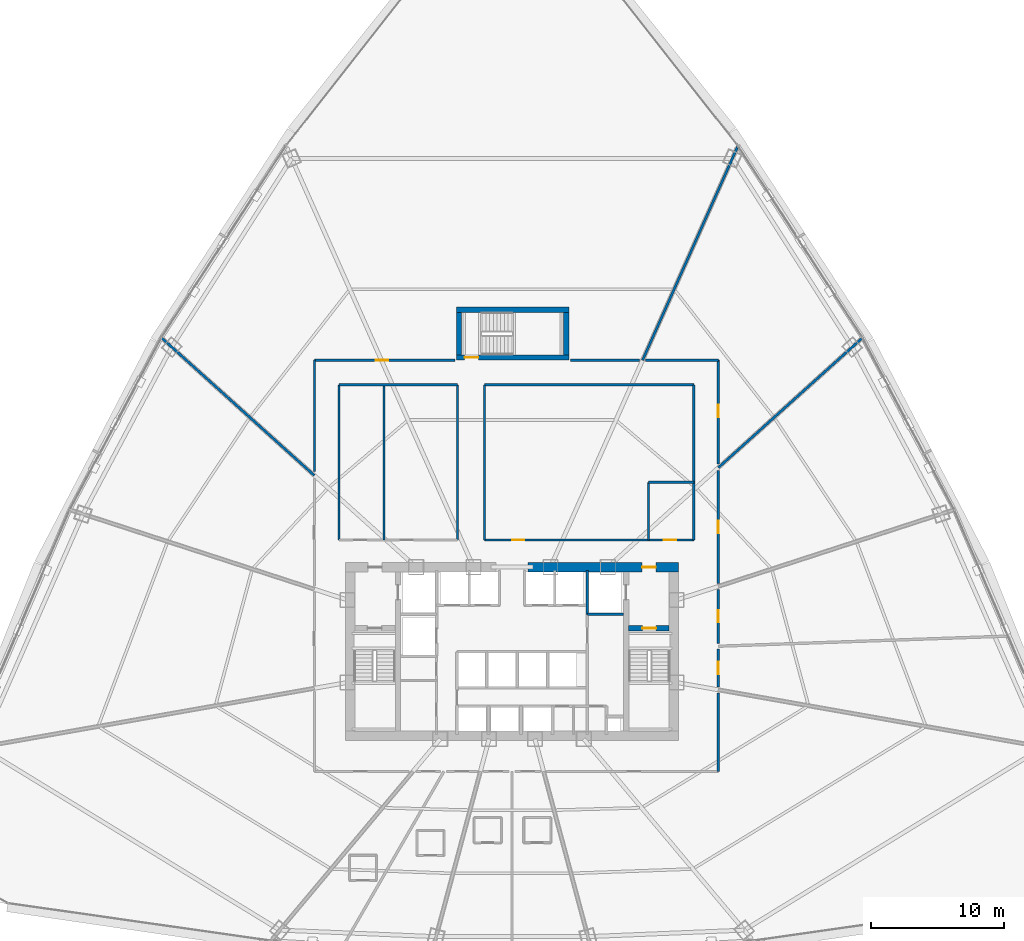
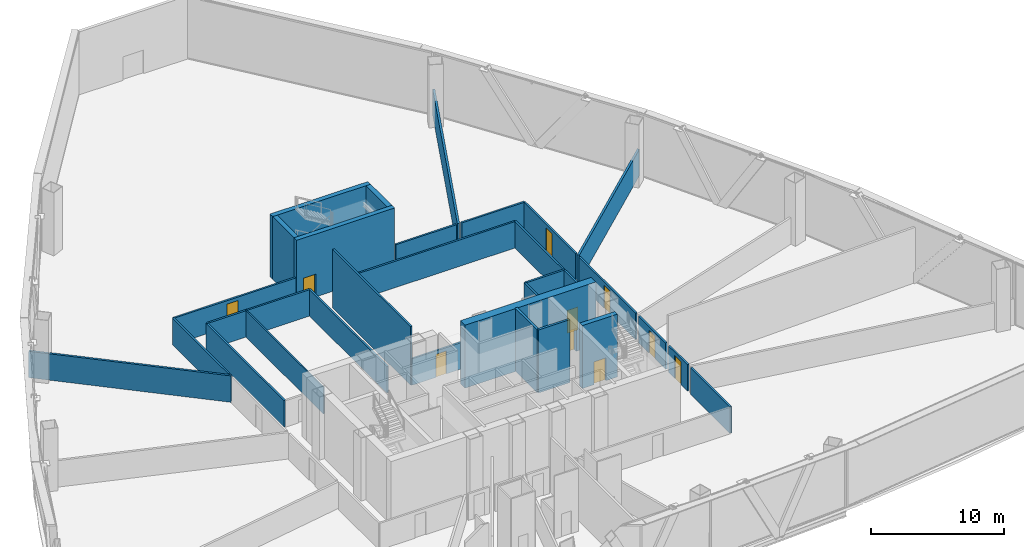
# One storey, part 35 of 41: 30 walls, 10 doors, 10 openings.
"""IFC4 building model written with IfcOpenShell, lengths in metres."""

from ifc_helpers import new_model, si_unit, direction, frame, frame_2d, origin, origin_with_axes, place, context, subcontext, project, spatial, rectangle, extrude, source, transform, mapped, material, layer, layer_set, type_object, element, fill, save


model = new_model("IFC4")

# Units and contexts
model_context = context("Model", 3, precision=1e-05, world=origin(), true_north=direction((0.0, 1.0)))
body_context = subcontext(model_context, "Body", "Model", "MODEL_VIEW")
ifc_project = project(units=[si_unit("LENGTHUNIT", "METRE"), si_unit("AREAUNIT", "SQUARE_METRE"), si_unit("VOLUMEUNIT", "CUBIC_METRE"), si_unit("PLANEANGLEUNIT", "RADIAN"), si_unit("MASSUNIT", "GRAM", prefix="KILO"), si_unit("THERMODYNAMICTEMPERATUREUNIT", "KELVIN"), si_unit("POWERUNIT", "WATT")], contexts=[model_context])

# Site, building, storey
site_placement = place(None, origin())
site = spatial("IfcSite", under=ifc_project, at=site_placement, CompositionType="ELEMENT")
building_placement = place(site_placement, origin())
building = spatial("IfcBuilding", under=site, at=building_placement, Name="Yunzhuo Pagoda Commons", CompositionType="ELEMENT")
storey_placement = place(building_placement, frame((0.0, 0.0, 70.330078125)))
storey = spatial("IfcBuildingStorey", under=building, at=storey_placement, Name="L18", CompositionType="ELEMENT", Elevation=70.330078125)

# Wall, opening, door
ifc_material_1 = material(Name="Concrete C60", Category="concrete")
ifc_layer_1 = layer(ifc_material_1, 0.699951171875)
ifc_layer_set_1 = layer_set([ifc_layer_1], Name="Concrete C60")
wall_type_1 = type_object("IfcWallType", Name="W-C01 Lower Core Shear Wall 700", PredefinedType="SHEAR", material=ifc_layer_set_1)
wall_1_placement = place(storey_placement, frame((49.199951171875, 40.199951171875, 0.0), z_axis=(0.0, 0.0, 1.0), x_axis=(1.0, 0.0, 0.0)))
wall_1 = element("IfcWall", 1, at=wall_1_placement, inside=storey, type_object=wall_type_1, Name="L18 core shear wall NE", PredefinedType="SHEAR", context=body_context, shape_type="SweptSolid", body=[
    extrude(rectangle(XDim=11.35009765625, YDim=0.699951171875, at=frame_2d((5.675048828125, 0.0))), origin(), (0.0, 0.0, 1.0), 5.77001953125),
])
opening_1_placement = place(wall_1_placement, frame((8.60009765625, 0.0, 0.0)))
opening_1 = element("IfcOpeningElement", 2, at=opening_1_placement, cuts=wall_1, Name="Opening D-02", PredefinedType="OPENING", context=body_context, shape_type="SweptSolid", body=[
    extrude(rectangle(XDim=1.050048828125, YDim=2.10009765625, at=frame_2d((0.52490234375, 1.050048828125))), frame((0.0, 0.35986328125, 0.0), z_axis=(0.0, -1.0, 0.0), x_axis=(1.0, 0.0, 0.0)), (0.0, 0.0, 1.0), 0.719970703125),
])
ifc_material_2 = material(Name="Galvanized fire-resisting metal leaf")
door_type_1 = type_object("IfcDoorType", Name="D-02 Firefighting Lobby & Refuge Fire Door 1050x2100", OperationType="NOTDEFINED", PredefinedType="DOOR", material=ifc_material_2)
shared_shape_1 = source(origin(), body_context, "Body", "SweptSolid", [
    extrude(rectangle(XDim=1.050048828125, YDim=2.10009765625, at=frame_2d((0.52490234375, 1.050048828125))), frame((0.0, 0.02490234375, 0.0), z_axis=(0.0, -1.0, 0.0), x_axis=(1.0, 0.0, 0.0)), (0.0, 0.0, 1.0), 0.050048828125),
])
door_1_placement = place(opening_1_placement, frame((1.050048828125, 0.0, 0.0), z_axis=(0.0, 0.0, 1.0), x_axis=(-1.0, 0.0, 0.0)))
door_1 = element("IfcDoor", 3, at=door_1_placement, inside=storey, type_object=door_type_1, Name="L18 Firefighting Lobby 2 fire door", OperationType="SINGLE_SWING_RIGHT", OverallHeight=2.10009765625, OverallWidth=1.050048828125, PredefinedType="DOOR", context=body_context, shape_type="MappedRepresentation", body=[
    mapped(shared_shape_1, transform((0.0, 0.0, 0.0), scale=1.0)),
])
fill(opening_1, door_1)

# Walls
ifc_material_3 = material(Name="Gypsum plasterboard on acoustic stud")
ifc_layer_2 = layer(ifc_material_3, 0.159912109375)
ifc_layer_set_2 = layer_set([ifc_layer_2], Name="Gypsum plasterboard on acoustic stud")
wall_type_2 = type_object("IfcWallType", Name="W-COR1 Tower Rated Corridor Wall 160", PredefinedType="PARTITIONING", material=ifc_layer_set_2)
wall_2_placement = place(storey_placement, frame((34.949951171875, 53.949951171875, 0.0), z_axis=(0.0, 0.0, 1.0), x_axis=(1.0, 0.0, 0.0)))
element("IfcWall", 4, at=wall_2_placement, inside=storey, type_object=wall_type_2, Name="L18 interior wall IW-L18-ISLWN", PredefinedType="PARTITIONING", context=body_context, shape_type="SweptSolid", body=[
    extrude(rectangle(XDim=8.929931640625, YDim=0.159912109375, at=frame_2d((4.46484375, 0.0))), origin(), (0.0, 0.0, 1.0), 2.419921875),
])
for number, where, z_axis, x_axis, name in (
    (5, (34.949951171875, 42.25, 0.0), (0.0, 0.0, 1.0), (0.0, 1.0, 0.0), "L18 interior wall IW-L18-ISLWW"),
    (6, (43.8798828125, 42.25, 0.0), (0.0, 0.0, 1.0), (0.0, 1.0, 0.0), "L18 interior wall IW-L18-ISLWE"),
):
    element("IfcWall", number, at=place(storey_placement, frame(where, z_axis=z_axis, x_axis=x_axis)), inside=storey, type_object=wall_type_2, Name=name, PredefinedType="PARTITIONING", context=body_context, shape_type="SweptSolid", body=[
        extrude(rectangle(XDim=11.699951171875, YDim=0.159912109375, at=frame_2d((5.85009765625, 0.0))), origin(), (0.0, 0.0, 1.0), 2.419921875),
    ])

# Wall, openings, doors
wall_3_placement = place(storey_placement, frame((45.919921875, 42.25, 0.0), z_axis=(0.0, 0.0, 1.0), x_axis=(1.0, 0.0, 0.0)))
wall_3 = element("IfcWall", 7, at=wall_3_placement, inside=storey, type_object=wall_type_2, Name="L18 interior wall IW-L18-ISLES", PredefinedType="PARTITIONING", context=body_context, shape_type="SweptSolid", body=[
    extrude(rectangle(XDim=15.780029296875, YDim=0.159912109375, at=frame_2d((7.89013671875, 0.0))), origin(), (0.0, 0.0, 1.0), 2.419921875),
])
opening_2_placement = place(wall_3_placement, frame((2.10009765625, 0.0, 0.0)))
opening_2 = element("IfcOpeningElement", 8, at=opening_2_placement, cuts=wall_3, Name="Opening D-04", PredefinedType="OPENING", context=body_context, shape_type="SweptSolid", body=[
    extrude(rectangle(XDim=0.919921875, YDim=2.10009765625, at=frame_2d((0.4599609375, 1.050048828125))), frame((0.0, 0.08984375, 0.0), z_axis=(0.0, -1.0, 0.0), x_axis=(1.0, 0.0, 0.0)), (0.0, 0.0, 1.0), 0.179931640625),
])
opening_3_placement = place(wall_3_placement, frame((13.530029296875, 0.0, 0.0)))
opening_3 = element("IfcOpeningElement", 9, at=opening_3_placement, cuts=wall_3, Name="Opening D-11", PredefinedType="OPENING", context=body_context, shape_type="SweptSolid", body=[
    extrude(rectangle(XDim=0.93994140625, YDim=2.10009765625, at=frame_2d((0.469970703125, 1.050048828125))), frame((0.0, 0.08984375, 0.0), z_axis=(0.0, -1.0, 0.0), x_axis=(1.0, 0.0, 0.0)), (0.0, 0.0, 1.0), 0.179931640625),
])
door_type_2 = type_object("IfcDoorType", Name="D-11 Accessible Washroom Fire Door 940x2100", OperationType="NOTDEFINED", PredefinedType="DOOR", material=ifc_material_2)
shared_shape_2 = source(origin(), body_context, "Body", "SweptSolid", [
    extrude(rectangle(XDim=0.93994140625, YDim=2.10009765625, at=frame_2d((0.469970703125, 1.050048828125))), frame((0.0, 0.02490234375, 0.0), z_axis=(0.0, -1.0, 0.0), x_axis=(1.0, 0.0, 0.0)), (0.0, 0.0, 1.0), 0.050048828125),
])
door_2_placement = place(opening_3_placement, frame((0.93994140625, 0.0, 0.0), z_axis=(0.0, 0.0, 1.0), x_axis=(-1.0, 0.0, 0.0)))
door_2 = element("IfcDoor", 10, at=door_2_placement, inside=storey, type_object=door_type_2, Name="L18 accessible WC door", OperationType="SINGLE_SWING_RIGHT", OverallHeight=2.10009765625, OverallWidth=0.93994140625, PredefinedType="DOOR", context=body_context, shape_type="MappedRepresentation", body=[
    mapped(shared_shape_2, transform((0.0, 0.0, 0.0), scale=1.0)),
])
fill(opening_3, door_2)
ifc_material_4 = material(Name="Powder-coated aluminium and timber acoustic leaf", Category="wood")
door_type_3 = type_object("IfcDoorType", Name="D-04 Bedroom & Study Interior Door 920x2100", OperationType="NOTDEFINED", PredefinedType="DOOR", material=ifc_material_4)
shared_shape_3 = source(origin(), body_context, "Body", "SweptSolid", [
    extrude(rectangle(XDim=0.919921875, YDim=2.10009765625, at=frame_2d((0.4599609375, 1.050048828125))), frame((0.0, 0.02490234375, 0.0), z_axis=(0.0, -1.0, 0.0), x_axis=(1.0, 0.0, 0.0)), (0.0, 0.0, 1.0), 0.050048828125),
])
door_3_placement = place(opening_2_placement, frame((0.919921875, 0.0, 0.0), z_axis=(0.0, 0.0, 1.0), x_axis=(-1.0, 0.0, 0.0)))
door_3 = element("IfcDoor", 11, at=door_3_placement, inside=storey, type_object=door_type_3, Name="L18 reading commons door", OperationType="SINGLE_SWING_LEFT", OverallHeight=2.10009765625, OverallWidth=0.919921875, PredefinedType="DOOR", context=body_context, shape_type="MappedRepresentation", body=[
    mapped(shared_shape_3, transform((0.0, 0.0, 0.0), scale=1.0)),
])
fill(opening_2, door_3)

# Walls
wall_4_placement = place(storey_placement, frame((45.919921875, 53.949951171875, 0.0), z_axis=(0.0, 0.0, 1.0), x_axis=(1.0, 0.0, 0.0)))
element("IfcWall", 12, at=wall_4_placement, inside=storey, type_object=wall_type_2, Name="L18 interior wall IW-L18-ISLEN", PredefinedType="PARTITIONING", context=body_context, shape_type="SweptSolid", body=[
    extrude(rectangle(XDim=15.780029296875, YDim=0.159912109375, at=frame_2d((7.89013671875, 0.0))), origin(), (0.0, 0.0, 1.0), 2.419921875),
])
wall_5_placement = place(storey_placement, frame((45.919921875, 42.25, 0.0), z_axis=(0.0, 0.0, 1.0), x_axis=(0.0, 1.0, 0.0)))
element("IfcWall", 13, at=wall_5_placement, inside=storey, type_object=wall_type_2, Name="L18 interior wall IW-L18-ISLEW", PredefinedType="PARTITIONING", context=body_context, shape_type="SweptSolid", body=[
    extrude(rectangle(XDim=11.699951171875, YDim=0.159912109375, at=frame_2d((5.85009765625, 0.0))), origin(), (0.0, 0.0, 1.0), 5.369873046875),
])
wall_6_placement = place(storey_placement, frame((61.699951171875, 42.25, 0.0), z_axis=(0.0, 0.0, 1.0), x_axis=(0.0, 1.0, 0.0)))
element("IfcWall", 14, at=wall_6_placement, inside=storey, type_object=wall_type_2, Name="L18 interior wall IW-L18-ISLEE", PredefinedType="PARTITIONING", context=body_context, shape_type="SweptSolid", body=[
    extrude(rectangle(XDim=11.699951171875, YDim=0.159912109375, at=frame_2d((5.85009765625, 0.0))), origin(), (0.0, 0.0, 1.0), 2.419921875),
])
wall_7_placement = place(storey_placement, frame((58.300048828125, 42.25, 0.0), z_axis=(0.0, 0.0, 1.0), x_axis=(0.0, 1.0, 0.0)))
element("IfcWall", 15, at=wall_7_placement, inside=storey, type_object=wall_type_2, Name="L18 interior wall IW-L18-ISL2W", PredefinedType="PARTITIONING", context=body_context, shape_type="SweptSolid", body=[
    extrude(rectangle(XDim=4.35009765625, YDim=0.159912109375, at=frame_2d((2.175048828125, 0.0))), origin(), (0.0, 0.0, 1.0), 2.419921875),
])
wall_8_placement = place(storey_placement, frame((58.300048828125, 46.60009765625, 0.0), z_axis=(0.0, 0.0, 1.0), x_axis=(1.0, 0.0, 0.0)))
element("IfcWall", 16, at=wall_8_placement, inside=storey, type_object=wall_type_2, Name="L18 interior wall IW-L18-ISL2N", PredefinedType="PARTITIONING", context=body_context, shape_type="SweptSolid", body=[
    extrude(rectangle(XDim=3.39990234375, YDim=0.159912109375, at=frame_2d((1.699951171875, 0.0))), origin(), (0.0, 0.0, 1.0), 2.419921875),
])
wall_9_placement = place(storey_placement, frame((33.10009765625, 47.412109375, 0.0), z_axis=(0.0, 0.0, 1.0), x_axis=(0.0, 1.0, 0.0)))
element("IfcWall", 17, at=wall_9_placement, inside=storey, type_object=wall_type_2, Name="L18 interior wall IW-L18-CWL04", PredefinedType="PARTITIONING", context=body_context, shape_type="SweptSolid", body=[
    extrude(rectangle(XDim=8.387939453125, YDim=0.159912109375, at=frame_2d((4.19384765625, 0.0))), origin(), (0.0, 0.0, 1.0), 2.419921875),
])

# Wall, opening, door
wall_10_placement = place(storey_placement, frame((33.10009765625, 55.800048828125, 0.0), z_axis=(0.0, 0.0, 1.0), x_axis=(1.0, 0.0, 0.0)))
wall_10 = element("IfcWall", 18, at=wall_10_placement, inside=storey, type_object=wall_type_2, Name="L18 interior wall IW-L18-CWL05", PredefinedType="PARTITIONING", context=body_context, shape_type="SweptSolid", body=[
    extrude(rectangle(XDim=10.60888671875, YDim=0.159912109375, at=frame_2d((5.304443359375, 0.0))), origin(), (0.0, 0.0, 1.0), 2.419921875),
])
opening_4_placement = place(wall_10_placement, frame((4.635009765625, 0.0, 0.0)))
opening_4 = element("IfcOpeningElement", 19, at=opening_4_placement, cuts=wall_10, Name="Opening D-06", PredefinedType="OPENING", context=body_context, shape_type="SweptSolid", body=[
    extrude(rectangle(XDim=0.949951171875, YDim=2.10009765625, at=frame_2d((0.47509765625, 1.050048828125))), frame((0.0, 0.08984375, 0.0), z_axis=(0.0, -1.0, 0.0), x_axis=(1.0, 0.0, 0.0)), (0.0, 0.0, 1.0), 0.179931640625),
])
door_type_4 = type_object("IfcDoorType", Name="D-06 Co-Living Suite Entrance Fire Door 950x2100", OperationType="NOTDEFINED", PredefinedType="DOOR", material=ifc_material_2)
shared_shape_4 = source(origin(), body_context, "Body", "SweptSolid", [
    extrude(rectangle(XDim=0.949951171875, YDim=2.10009765625, at=frame_2d((0.47509765625, 1.050048828125))), frame((0.0, 0.02490234375, 0.0), z_axis=(0.0, -1.0, 0.0), x_axis=(1.0, 0.0, 0.0)), (0.0, 0.0, 1.0), 0.050048828125),
])
door_4_placement = place(opening_4_placement, origin_with_axes())
door_4 = element("IfcDoor", 20, at=door_4_placement, inside=storey, type_object=door_type_4, Name="L18 Shared Resident Kitchen and Pantry door", OperationType="SINGLE_SWING_LEFT", OverallHeight=2.10009765625, OverallWidth=0.949951171875, PredefinedType="DOOR", context=body_context, shape_type="MappedRepresentation", body=[
    mapped(shared_shape_4, transform((0.0, 0.0, 0.0), scale=1.0)),
])
fill(opening_4, door_4)

# Walls
wall_11_placement = place(storey_placement, frame((52.39111328125, 55.800048828125, 0.0), z_axis=(0.0, 0.0, 1.0), x_axis=(1.0, 0.0, 0.0)))
element("IfcWall", 21, at=wall_11_placement, inside=storey, type_object=wall_type_2, Name="L18 interior wall IW-L18-CWL06", PredefinedType="PARTITIONING", context=body_context, shape_type="SweptSolid", body=[
    extrude(rectangle(XDim=5.228759765625, YDim=0.159912109375, at=frame_2d((2.6142578125, 0.0))), origin(), (0.0, 0.0, 1.0), 2.419921875),
])
wall_12_placement = place(storey_placement, frame((58.080322265625, 55.800048828125, 0.0), z_axis=(0.0, 0.0, 1.0), x_axis=(1.0, 0.0, 0.0)))
element("IfcWall", 22, at=wall_12_placement, inside=storey, type_object=wall_type_2, Name="L18 interior wall IW-L18-CWL07", PredefinedType="PARTITIONING", context=body_context, shape_type="SweptSolid", body=[
    extrude(rectangle(XDim=5.4697265625, YDim=0.159912109375, at=frame_2d((2.73486328125, 0.0))), origin(), (0.0, 0.0, 1.0), 2.419921875),
])

# Wall, opening, door
wall_13_placement = place(storey_placement, frame((63.550048828125, 55.800048828125, 0.0), z_axis=(0.0, 0.0, 1.0), x_axis=(0.0, -1.0, 0.0)))
wall_13 = element("IfcWall", 23, at=wall_13_placement, inside=storey, type_object=wall_type_2, Name="L18 interior wall IW-L18-CWL08", PredefinedType="PARTITIONING", context=body_context, shape_type="SweptSolid", body=[
    extrude(rectangle(XDim=7.802734375, YDim=0.159912109375, at=frame_2d((3.9013671875, 0.0))), origin(), (0.0, 0.0, 1.0), 2.419921875),
])
opening_5_placement = place(wall_13_placement, frame((3.359375, 0.0, 0.0)))
opening_5 = element("IfcOpeningElement", 24, at=opening_5_placement, cuts=wall_13, Name="Opening D-04", PredefinedType="OPENING", context=body_context, shape_type="SweptSolid", body=[
    extrude(rectangle(XDim=0.919921875, YDim=2.10009765625, at=frame_2d((0.4599609375, 1.050048828125))), frame((0.0, 0.08984375, 0.0), z_axis=(0.0, -1.0, 0.0), x_axis=(1.0, 0.0, 0.0)), (0.0, 0.0, 1.0), 0.179931640625),
])
door_5_placement = place(opening_5_placement, origin_with_axes())
door_5 = element("IfcDoor", 25, at=door_5_placement, inside=storey, type_object=door_type_3, Name="L18 seminar room 03 door", OperationType="SINGLE_SWING_RIGHT", OverallHeight=2.10009765625, OverallWidth=0.919921875, PredefinedType="DOOR", context=body_context, shape_type="MappedRepresentation", body=[
    mapped(shared_shape_3, transform((0.0, 0.0, 0.0), scale=1.0)),
])
fill(opening_5, door_5)

wall_14_placement = place(storey_placement, frame((63.550048828125, 47.481689453125, 0.0), z_axis=(0.0, 0.0, 1.0), x_axis=(0.0, -1.0, 0.0)))
wall_14 = element("IfcWall", 26, at=wall_14_placement, inside=storey, type_object=wall_type_2, Name="L18 interior wall IW-L18-CWL09", PredefinedType="PARTITIONING", context=body_context, shape_type="SweptSolid", body=[
    extrude(rectangle(XDim=8.497802734375, YDim=0.159912109375, at=frame_2d((4.2490234375, 0.0))), origin(), (0.0, 0.0, 1.0), 2.419921875),
])
opening_6_placement = place(wall_14_placement, frame((3.794677734375, 0.0, 0.0)))
opening_6 = element("IfcOpeningElement", 27, at=opening_6_placement, cuts=wall_14, Name="Opening D-04", PredefinedType="OPENING", context=body_context, shape_type="SweptSolid", body=[
    extrude(rectangle(XDim=0.919921875, YDim=2.10009765625, at=frame_2d((0.4599609375, 1.050048828125))), frame((0.0, 0.08984375, 0.0), z_axis=(0.0, -1.0, 0.0), x_axis=(1.0, 0.0, 0.0)), (0.0, 0.0, 1.0), 0.179931640625),
])
door_6_placement = place(opening_6_placement, origin_with_axes())
door_6 = element("IfcDoor", 28, at=door_6_placement, inside=storey, type_object=door_type_3, Name="L18 seminar room 02 door", OperationType="SINGLE_SWING_LEFT", OverallHeight=2.10009765625, OverallWidth=0.919921875, PredefinedType="DOOR", context=body_context, shape_type="MappedRepresentation", body=[
    mapped(shared_shape_3, transform((0.0, 0.0, 0.0), scale=1.0)),
])
fill(opening_6, door_6)

wall_15_placement = place(storey_placement, frame((63.550048828125, 38.53271484375, 0.0), z_axis=(0.0, 0.0, 1.0), x_axis=(0.0, -1.0, 0.0)))
wall_15 = element("IfcWall", 29, at=wall_15_placement, inside=storey, type_object=wall_type_2, Name="L18 interior wall IW-L18-CWL10", PredefinedType="PARTITIONING", context=body_context, shape_type="SweptSolid", body=[
    extrude(rectangle(XDim=4.069580078125, YDim=0.159912109375, at=frame_2d((2.03466796875, 0.0))), origin(), (0.0, 0.0, 1.0), 2.419921875),
])
opening_7_placement = place(wall_15_placement, frame((1.574951171875, 0.0, 0.0)))
opening_7 = element("IfcOpeningElement", 30, at=opening_7_placement, cuts=wall_15, Name="Opening D-04", PredefinedType="OPENING", context=body_context, shape_type="SweptSolid", body=[
    extrude(rectangle(XDim=0.919921875, YDim=2.10009765625, at=frame_2d((0.4599609375, 1.050048828125))), frame((0.0, 0.08984375, 0.0), z_axis=(0.0, -1.0, 0.0), x_axis=(1.0, 0.0, 0.0)), (0.0, 0.0, 1.0), 0.179931640625),
])
door_7_placement = place(opening_7_placement, origin_with_axes())
door_7 = element("IfcDoor", 31, at=door_7_placement, inside=storey, type_object=door_type_3, Name="L18 seminar room 01 door", OperationType="SINGLE_SWING_RIGHT", OverallHeight=2.10009765625, OverallWidth=0.919921875, PredefinedType="DOOR", context=body_context, shape_type="MappedRepresentation", body=[
    mapped(shared_shape_3, transform((0.0, 0.0, 0.0), scale=1.0)),
])
fill(opening_7, door_7)

wall_16_placement = place(storey_placement, frame((63.550048828125, 34.023193359375, 0.0), z_axis=(0.0, 0.0, 1.0), x_axis=(0.0, -1.0, 0.0)))
wall_16 = element("IfcWall", 32, at=wall_16_placement, inside=storey, type_object=wall_type_2, Name="L18 interior wall IW-L18-CWL11", PredefinedType="PARTITIONING", context=body_context, shape_type="SweptSolid", body=[
    extrude(rectangle(XDim=2.84521484375, YDim=0.159912109375, at=frame_2d((1.422607421875, 0.0))), origin(), (0.0, 0.0, 1.0), 2.419921875),
])
opening_8_placement = place(wall_16_placement, frame((0.94775390625, 0.0, 0.0)))
opening_8 = element("IfcOpeningElement", 33, at=opening_8_placement, cuts=wall_16, Name="Opening D-06", PredefinedType="OPENING", context=body_context, shape_type="SweptSolid", body=[
    extrude(rectangle(XDim=0.949951171875, YDim=2.10009765625, at=frame_2d((0.47509765625, 1.050048828125))), frame((0.0, 0.08984375, 0.0), z_axis=(0.0, -1.0, 0.0), x_axis=(1.0, 0.0, 0.0)), (0.0, 0.0, 1.0), 0.179931640625),
])
door_8_placement = place(opening_8_placement, origin_with_axes())
door_8 = element("IfcDoor", 34, at=door_8_placement, inside=storey, type_object=door_type_4, Name="L18 unit 13 entrance door", OperationType="SINGLE_SWING_RIGHT", OverallHeight=2.10009765625, OverallWidth=0.949951171875, PredefinedType="DOOR", context=body_context, shape_type="MappedRepresentation", body=[
    mapped(shared_shape_4, transform((0.0, 0.0, 0.0), scale=1.0)),
])
fill(opening_8, door_8)

# Walls
wall_17_placement = place(storey_placement, frame((63.550048828125, 30.734619140625, 0.0), z_axis=(0.0, 0.0, 1.0), x_axis=(0.0, -1.0, 0.0)))
element("IfcWall", 35, at=wall_17_placement, inside=storey, type_object=wall_type_2, Name="L18 interior wall IW-L18-CWL12", PredefinedType="PARTITIONING", context=body_context, shape_type="SweptSolid", body=[
    extrude(rectangle(XDim=5.9345703125, YDim=0.159912109375, at=frame_2d((2.96728515625, 0.0))), origin(), (0.0, 0.0, 1.0), 2.419921875),
])
ifc_layer_3 = layer(ifc_material_3, 0.1201171875)
ifc_layer_set_3 = layer_set([ifc_layer_3], Name="Gypsum plasterboard on acoustic stud")
wall_type_3 = type_object("IfcWallType", Name="W-PRT1 Suite & Bathroom Partition 120", PredefinedType="PARTITIONING", material=ifc_layer_set_3)
wall_18_placement = place(storey_placement, frame((38.35009765625, 42.25, 0.0), z_axis=(0.0, 0.0, 1.0), x_axis=(0.0, 1.0, 0.0)))
element("IfcWall", 36, at=wall_18_placement, inside=storey, type_object=wall_type_3, Name="L18 interior wall IW-L18-ISLW1", PredefinedType="PARTITIONING", context=body_context, shape_type="SweptSolid", body=[
    extrude(rectangle(XDim=11.699951171875, YDim=0.1201171875, at=frame_2d((5.85009765625, 0.0))), origin(), (0.0, 0.0, 1.0), 2.419921875),
])
ifc_layer_4 = layer(ifc_material_3, 0.179931640625)
ifc_layer_set_4 = layer_set([ifc_layer_4], Name="Gypsum plasterboard on acoustic stud")
wall_type_4 = type_object("IfcWallType", Name="W-PRT2 Acoustic Unit Demising Wall 180", PredefinedType="PARTITIONING", material=ifc_layer_set_4)
wall_19_placement = place(storey_placement, frame((63.550048828125, 47.701416015625, 0.0), z_axis=(0.0, 0.0, 1.0), x_axis=(0.743144860423, 0.669130567547, 0.0)))
element("IfcWall", 37, at=wall_19_placement, inside=storey, type_object=wall_type_4, Name="L18 interior wall IW-L18-RAD03", PredefinedType="PARTITIONING", context=body_context, shape_type="SweptSolid", body=[
    extrude(rectangle(XDim=14.638916015625, YDim=0.179931640625, at=frame_2d((7.3193359375, 0.0))), origin(), (0.0, 0.0, 1.0), 2.419921875),
])
wall_20_placement = place(storey_placement, frame((57.839599609375, 55.800048828125, 0.0), z_axis=(0.0, 0.0, 1.0), x_axis=(0.406732277088, 0.913547401493, 0.0)))
element("IfcWall", 38, at=wall_20_placement, inside=storey, type_object=wall_type_4, Name="L18 interior wall IW-L18-RAD04", PredefinedType="PARTITIONING", context=body_context, shape_type="SweptSolid", body=[
    extrude(rectangle(XDim=17.69775390625, YDim=0.179931640625, at=frame_2d((8.848876953125, 0.0))), origin(), (0.0, 0.0, 1.0), 2.419921875),
])
wall_21_placement = place(storey_placement, frame((33.10009765625, 47.115966796875, 0.0), z_axis=(0.0, 0.0, 1.0), x_axis=(-0.743143105339, 0.669132516761, 0.0)))
element("IfcWall", 39, at=wall_21_placement, inside=storey, type_object=wall_type_4, Name="L18 interior wall IW-L18-RAD05", PredefinedType="PARTITIONING", context=body_context, shape_type="SweptSolid", body=[
    extrude(rectangle(XDim=15.513916015625, YDim=0.179931640625, at=frame_2d((7.7568359375, 0.0))), origin(), (0.0, 0.0, 1.0), 2.419921875),
])

# Wall, opening, door
ifc_layer_5 = layer(ifc_material_1, 0.39990234375)
ifc_layer_set_5 = layer_set([ifc_layer_5], Name="Concrete C60")
wall_type_5 = type_object("IfcWallType", Name="W-S01 Internal Core Shear Web 400", PredefinedType="SHEAR", material=ifc_layer_set_5)
wall_22_placement = place(storey_placement, frame((56.800048828125, 35.60009765625, 0.0), z_axis=(0.0, 0.0, 1.0), x_axis=(1.0, 0.0, 0.0)))
wall_22 = element("IfcWall", 40, at=wall_22_placement, inside=storey, type_object=wall_type_5, Name="L18 core shear wall STE", PredefinedType="SHEAR", context=body_context, shape_type="SweptSolid", body=[
    extrude(rectangle(XDim=3.050048828125, YDim=0.39990234375, at=frame_2d((1.52490234375, 0.0))), origin(), (0.0, 0.0, 1.0), 5.77001953125),
])
opening_9_placement = place(wall_22_placement, frame((1.02001953125, 0.0, 0.0)))
opening_9 = element("IfcOpeningElement", 41, at=opening_9_placement, cuts=wall_22, Name="Opening D-01", PredefinedType="OPENING", context=body_context, shape_type="SweptSolid", body=[
    extrude(rectangle(XDim=1.050048828125, YDim=2.10009765625, at=frame_2d((0.52490234375, 1.050048828125))), frame((0.0, 0.2099609375, 0.0), z_axis=(0.0, -1.0, 0.0), x_axis=(1.0, 0.0, 0.0)), (0.0, 0.0, 1.0), 0.419921875),
])
door_type_5 = type_object("IfcDoorType", Name="D-01 Smokeproof Stair Fire Door 1050x2100", OperationType="NOTDEFINED", PredefinedType="DOOR", material=ifc_material_2)
door_9_placement = place(opening_9_placement, frame((1.050048828125, 0.0, 0.0), z_axis=(0.0, 0.0, 1.0), x_axis=(-1.0, 0.0, 0.0)))
door_9 = element("IfcDoor", 42, at=door_9_placement, inside=storey, type_object=door_type_5, Name="L18 Stair ST2 fire door", OperationType="SINGLE_SWING_RIGHT", OverallHeight=2.10009765625, OverallWidth=1.050048828125, PredefinedType="DOOR", context=body_context, shape_type="MappedRepresentation", body=[
    mapped(shared_shape_1, transform((0.0, 0.0, 0.0), scale=1.0)),
])
fill(opening_9, door_9)

# Wall
wall_23_placement = place(storey_placement, frame((43.800048828125, 59.60009765625, 0.0), z_axis=(0.0, 0.0, 1.0), x_axis=(1.0, 0.0, 0.0)))
element("IfcWall", 43, at=wall_23_placement, inside=storey, type_object=wall_type_5, Name="L18 ST3 structural stair wall N", PredefinedType="SHEAR", context=body_context, shape_type="SweptSolid", body=[
    extrude(rectangle(XDim=8.5, YDim=0.39990234375, at=frame_2d((4.25, 0.0))), origin(), (0.0, 0.0, 1.0), 5.77001953125),
])

# Wall, opening, door
wall_24_placement = place(storey_placement, frame((43.800048828125, 56.0, 0.0), z_axis=(0.0, 0.0, 1.0), x_axis=(1.0, 0.0, 0.0)))
wall_24 = element("IfcWall", 44, at=wall_24_placement, inside=storey, type_object=wall_type_5, Name="L18 ST3 structural stair wall S", PredefinedType="SHEAR", context=body_context, shape_type="SweptSolid", body=[
    extrude(rectangle(XDim=8.5, YDim=0.39990234375, at=frame_2d((4.25, 0.0))), origin(), (0.0, 0.0, 1.0), 5.77001953125),
])
opening_10_placement = place(wall_24_placement, frame((0.6201171875, 0.0, 0.0)))
opening_10 = element("IfcOpeningElement", 45, at=opening_10_placement, cuts=wall_24, Name="Opening D-01", PredefinedType="OPENING", context=body_context, shape_type="SweptSolid", body=[
    extrude(rectangle(XDim=1.050048828125, YDim=2.10009765625, at=frame_2d((0.52490234375, 1.050048828125))), frame((0.0, 0.2099609375, 0.0), z_axis=(0.0, -1.0, 0.0), x_axis=(1.0, 0.0, 0.0)), (0.0, 0.0, 1.0), 0.419921875),
])
door_10_placement = place(opening_10_placement, frame((1.050048828125, 0.0, 0.0), z_axis=(0.0, 0.0, 1.0), x_axis=(-1.0, 0.0, 0.0)))
door_10 = element("IfcDoor", 46, at=door_10_placement, inside=storey, type_object=door_type_5, Name="L18 Stair ST3 fire door", OperationType="SINGLE_SWING_LEFT", OverallHeight=2.10009765625, OverallWidth=1.050048828125, PredefinedType="DOOR", context=body_context, shape_type="MappedRepresentation", body=[
    mapped(shared_shape_1, transform((0.0, 0.0, 0.0), scale=1.0)),
])
fill(opening_10, door_10)

# Walls
for number, where, z_axis, x_axis, name in (
    (47, (44.0, 56.199951171875, 0.0), (0.0, 0.0, 1.0), (0.0, 1.0, 0.0), "L18 ST3 structural stair wall W"),
    (48, (52.10009765625, 56.199951171875, 0.0), (0.0, 0.0, 1.0), (0.0, 1.0, 0.0), "L18 ST3 structural stair wall E"),
):
    element("IfcWall", number, at=place(storey_placement, frame(where, z_axis=z_axis, x_axis=x_axis)), inside=storey, type_object=wall_type_5, Name=name, PredefinedType="SHEAR", context=body_context, shape_type="SweptSolid", body=[
        extrude(rectangle(XDim=3.199951171875, YDim=0.39990234375, at=frame_2d((1.60009765625, 0.0))), origin(), (0.0, 0.0, 1.0), 5.77001953125),
    ])
ifc_material_5 = material(Name="Concrete C40", Category="concrete")
ifc_layer_6 = layer(ifc_material_5, 0.199951171875)
ifc_layer_set_6 = layer_set([ifc_layer_6], Name="Concrete C40")
wall_type_6 = type_object("IfcWallType", Name="W-SHF Shaft & Stair Enclosure Wall 200", PredefinedType="SOLIDWALL", material=ifc_layer_set_6)
wall_25_placement = place(storey_placement, frame((53.679931640625, 36.64990234375, 0.0), z_axis=(0.0, 0.0, 1.0), x_axis=(0.0, 1.0, 0.0)))
element("IfcWall", 49, at=wall_25_placement, inside=storey, type_object=wall_type_6, Name="L18 interior wall IW-L18-FL2W", PredefinedType="SOLIDWALL", context=body_context, shape_type="SweptSolid", body=[
    extrude(rectangle(XDim=3.300048828125, YDim=0.199951171875, at=frame_2d((1.64990234375, 0.0))), origin(), (0.0, 0.0, 1.0), 5.77001953125),
])
wall_26_placement = place(storey_placement, frame((53.679931640625, 36.64990234375, 0.0), z_axis=(0.0, 0.0, 1.0), x_axis=(1.0, 0.0, 0.0)))
element("IfcWall", 50, at=wall_26_placement, inside=storey, type_object=wall_type_6, Name="L18 interior wall IW-L18-FL2S", PredefinedType="SOLIDWALL", context=body_context, shape_type="SweptSolid", body=[
    extrude(rectangle(XDim=2.719970703125, YDim=0.199951171875, at=frame_2d((1.35986328125, 0.0))), origin(), (0.0, 0.0, 1.0), 5.77001953125),
])

save(model, "model.ifc")
